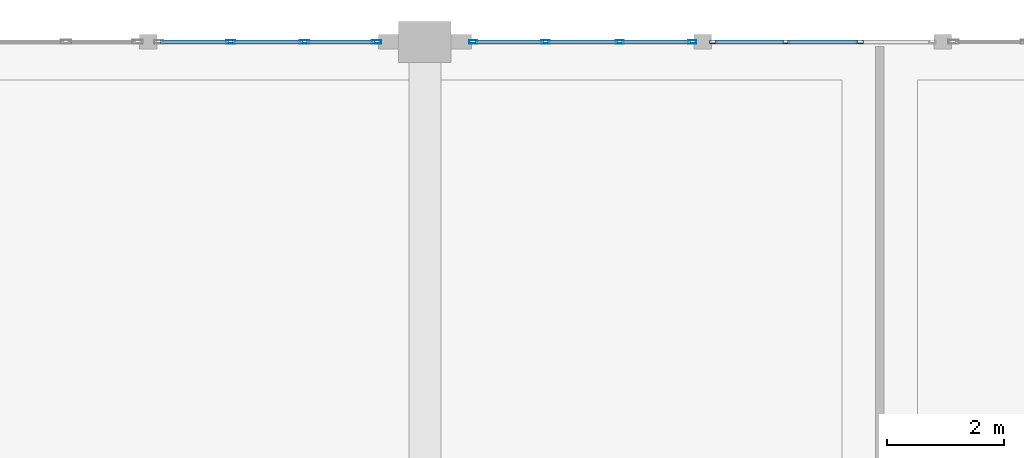
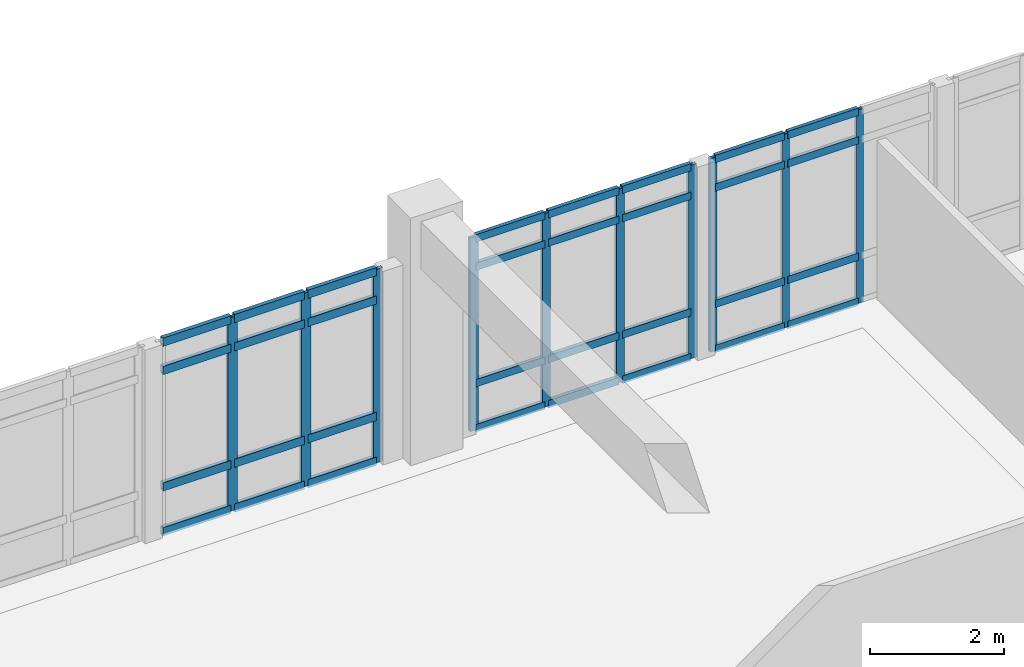
# One storey, part 54 of 109: 42 members, 3 elements without a shape of their own.
"""IFC4 building model written with IfcOpenShell, lengths in metres."""

from ifc_helpers import new_model, si_unit, direction, frame, origin, origin_2d, place, context, subcontext, project, spatial, hollow_rectangle, extrude, material, layer, layer_set, material_profile, profile_set, type_object, element, aggregate, save


model = new_model("IFC4")

# Units and contexts
model_context = context("Model", 3, precision=1e-05, world=origin(), true_north=direction((0.0, 1.0)))
body_context = subcontext(model_context, "Body", "Model", "MODEL_VIEW")
ifc_project = project(units=[si_unit("LENGTHUNIT", "METRE"), si_unit("AREAUNIT", "SQUARE_METRE"), si_unit("VOLUMEUNIT", "CUBIC_METRE"), si_unit("PLANEANGLEUNIT", "RADIAN"), si_unit("MASSUNIT", "GRAM", prefix="KILO")], contexts=[model_context])

# Site, building, storey
site_placement = place(None, origin())
site = spatial("IfcSite", under=ifc_project, at=site_placement, CompositionType="ELEMENT")
building_placement = place(site_placement, origin())
building = spatial("IfcBuilding", under=site, at=building_placement, Name="Fikremerkos Civic Library", CompositionType="ELEMENT")
storey_placement = place(building_placement, frame((0.0, 0.0, 5.39990234375)))
storey = spatial("IfcBuildingStorey", under=building, at=storey_placement, Name="L01", CompositionType="ELEMENT", Elevation=5.39990234375)

# Curtain wall, members
ifc_material = material(Name="Anodized aluminium Frame", Category="aluminium")
ifc_layer_1 = layer(ifc_material, 0.159912109375, Name="Anodized aluminium Frame")
ifc_layer_set_1 = layer_set([ifc_layer_1], Name="Anodized aluminium Frame")
curtain_wall_type_1 = type_object("IfcCurtainWallType", Name="Unitised curtain wall CW-10 4000x3400", PredefinedType="USERDEFINED", material=ifc_layer_set_1)
curtain_wall_1_placement = place(storey_placement, origin())
curtain_wall_1 = element("IfcCurtainWall", 1, at=curtain_wall_1_placement, inside=storey, type_object=curtain_wall_type_1, Name="Unitised curtain wall CW-10 L01 #136", ObjectType="UNITISED CURTAIN WALL", PredefinedType="USERDEFINED")
ifc_material_profile_1 = material_profile(ifc_material, hollow_rectangle(XDim=0.06005859375, YDim=0.159912109375, WallThickness=0.00390625, at=origin_2d()), Name="ALU 160x60x4")
ifc_profile_set_1 = profile_set([ifc_material_profile_1], Name="Anodized aluminium Frame")
member_type_1 = type_object("IfcMemberType", Name="Curtain mullion CWM-02 ALU 160x60x4", PredefinedType="MULLION", material=ifc_profile_set_1)
member_1_placement = place(storey_placement, frame((96.873291015625, 117.60009765625, 0.0), z_axis=(0.0, 0.0, 1.0), x_axis=(0.0, 1.0, 0.0)))
member_1 = element("IfcMember", 2, at=member_1_placement, type_object=member_type_1, Name="CW-10 mullion 2", PredefinedType="MULLION", context=body_context, shape_type="SweptSolid", body=[
    extrude(hollow_rectangle(XDim=0.06005859375, YDim=0.159912109375, WallThickness=0.00390625, at=origin_2d()), origin(), (0.0, 0.0, 1.0), 3.517333984375),
])
member_2_placement = place(storey_placement, frame((98.1376953125, 117.60009765625, 0.0), z_axis=(0.0, 0.0, 1.0), x_axis=(0.0, 1.0, 0.0)))
member_2 = element("IfcMember", 3, at=member_2_placement, type_object=member_type_1, Name="CW-10 mullion 3", PredefinedType="MULLION", context=body_context, shape_type="SweptSolid", body=[
    extrude(hollow_rectangle(XDim=0.06005859375, YDim=0.159912109375, WallThickness=0.00390625, at=origin_2d()), origin(), (0.0, 0.0, 1.0), 3.517333984375),
])
member_3_placement = place(storey_placement, frame((99.3720703125, 117.60009765625, 0.0), z_axis=(0.0, 0.0, 1.0), x_axis=(0.0, 1.0, 0.0)))
member_3 = element("IfcMember", 4, at=member_3_placement, type_object=member_type_1, Name="CW-10 mullion 4", PredefinedType="MULLION", context=body_context, shape_type="SweptSolid", body=[
    extrude(hollow_rectangle(XDim=0.06005859375, YDim=0.159912109375, WallThickness=0.00390625, at=origin_2d()), origin(), (0.0, 0.0, 1.0), 3.517333984375),
])

ifc_layer_2 = layer(ifc_material, 0.159912109375, Name="Anodized aluminium Frame")
ifc_layer_set_2 = layer_set([ifc_layer_2], Name="Anodized aluminium Frame")
curtain_wall_type_2 = type_object("IfcCurtainWallType", Name="Unitised curtain wall CW-11 3200x3400", PredefinedType="USERDEFINED", material=ifc_layer_set_2)
curtain_wall_2_placement = place(storey_placement, origin())
curtain_wall_2 = element("IfcCurtainWall", 5, at=curtain_wall_2_placement, inside=storey, type_object=curtain_wall_type_2, Name="Unitised curtain wall CW-11 L01 #137", ObjectType="UNITISED CURTAIN WALL", PredefinedType="USERDEFINED")
ifc_material_profile_2 = material_profile(ifc_material, hollow_rectangle(XDim=0.06005859375, YDim=0.139892578125, WallThickness=0.00390625, at=origin_2d()), Name="ALU 140x60x4")
ifc_profile_set_2 = profile_set([ifc_material_profile_2], Name="Anodized aluminium Frame")
member_type_2 = type_object("IfcMemberType", Name="Curtain mullion CWM-03 ALU 140x60x4", PredefinedType="MULLION", material=ifc_profile_set_2)
member_4_placement = place(storey_placement, frame((101.028076171875, 117.60009765625, 0.0), z_axis=(0.0, 0.0, 1.0), x_axis=(0.0, 1.0, 0.0)))
member_4 = element("IfcMember", 6, at=member_4_placement, type_object=member_type_2, Name="CW-11 mullion 1", PredefinedType="MULLION", context=body_context, shape_type="SweptSolid", body=[
    extrude(hollow_rectangle(XDim=0.06005859375, YDim=0.139892578125, WallThickness=0.00390625, at=origin_2d()), origin(), (0.0, 0.0, 1.0), 3.517333984375),
])
member_5_placement = place(storey_placement, frame((102.270751953125, 117.60009765625, 0.0), z_axis=(0.0, 0.0, 1.0), x_axis=(0.0, 1.0, 0.0)))
member_5 = element("IfcMember", 7, at=member_5_placement, type_object=member_type_2, Name="CW-11 mullion 2", PredefinedType="MULLION", context=body_context, shape_type="SweptSolid", body=[
    extrude(hollow_rectangle(XDim=0.06005859375, YDim=0.139892578125, WallThickness=0.00390625, at=origin_2d()), origin(), (0.0, 0.0, 1.0), 3.517333984375),
])
member_6_placement = place(storey_placement, frame((103.543212890625, 117.60009765625, 0.0), z_axis=(0.0, 0.0, 1.0), x_axis=(0.0, 1.0, 0.0)))
member_6 = element("IfcMember", 8, at=member_6_placement, type_object=member_type_2, Name="CW-11 mullion 3", PredefinedType="MULLION", context=body_context, shape_type="SweptSolid", body=[
    extrude(hollow_rectangle(XDim=0.06005859375, YDim=0.139892578125, WallThickness=0.00390625, at=origin_2d()), origin(), (0.0, 0.0, 1.0), 3.517333984375),
])
member_7_placement = place(storey_placement, frame((104.785888671875, 117.60009765625, 0.0), z_axis=(0.0, 0.0, 1.0), x_axis=(0.0, 1.0, 0.0)))
member_7 = element("IfcMember", 9, at=member_7_placement, type_object=member_type_2, Name="CW-11 mullion 4", PredefinedType="MULLION", context=body_context, shape_type="SweptSolid", body=[
    extrude(hollow_rectangle(XDim=0.06005859375, YDim=0.139892578125, WallThickness=0.00390625, at=origin_2d()), origin(), (0.0, 0.0, 1.0), 3.517333984375),
])

ifc_layer_3 = layer(ifc_material, 0.159912109375, Name="Anodized aluminium Frame")
ifc_layer_set_3 = layer_set([ifc_layer_3], Name="Anodized aluminium Frame")
curtain_wall_type_3 = type_object("IfcCurtainWallType", Name="Unitised curtain wall CW-12 4300x3400", PredefinedType="USERDEFINED", material=ifc_layer_set_3)
curtain_wall_3_placement = place(storey_placement, origin())
curtain_wall_3 = element("IfcCurtainWall", 10, at=curtain_wall_3_placement, inside=storey, type_object=curtain_wall_type_3, Name="Unitised curtain wall CW-12 L01 #138", ObjectType="UNITISED CURTAIN WALL", PredefinedType="USERDEFINED")
ifc_material_profile_3 = material_profile(ifc_material, hollow_rectangle(XDim=0.06005859375, YDim=0.1201171875, WallThickness=0.00390625, at=origin_2d()), Name="ALU 120x60x4")
ifc_profile_set_3 = profile_set([ifc_material_profile_3], Name="Anodized aluminium Frame")
member_type_3 = type_object("IfcMemberType", Name="Curtain mullion CWM-04 ALU 120x60x4", PredefinedType="MULLION", material=ifc_profile_set_3)
member_8_placement = place(storey_placement, frame((105.14599609375, 117.60009765625, 0.0), z_axis=(0.0, 0.0, 1.0), x_axis=(0.0, 1.0, 0.0)))
member_8 = element("IfcMember", 11, at=member_8_placement, type_object=member_type_3, Name="CW-12 mullion 1", PredefinedType="MULLION", context=body_context, shape_type="SweptSolid", body=[
    extrude(hollow_rectangle(XDim=0.06005859375, YDim=0.1201171875, WallThickness=0.00390625, at=origin_2d()), origin(), (0.0, 0.0, 1.0), 3.517333984375),
])
member_9_placement = place(storey_placement, frame((106.388671875, 117.60009765625, 0.0), z_axis=(0.0, 0.0, 1.0), x_axis=(0.0, 1.0, 0.0)))
member_9 = element("IfcMember", 12, at=member_9_placement, type_object=member_type_3, Name="CW-12 mullion 2", PredefinedType="MULLION", context=body_context, shape_type="SweptSolid", body=[
    extrude(hollow_rectangle(XDim=0.06005859375, YDim=0.1201171875, WallThickness=0.00390625, at=origin_2d()), origin(), (0.0, 0.0, 1.0), 3.517333984375),
])
member_10_placement = place(storey_placement, frame((107.661376953125, 117.60009765625, 0.0), z_axis=(0.0, 0.0, 1.0), x_axis=(0.0, 1.0, 0.0)))
member_10 = element("IfcMember", 13, at=member_10_placement, type_object=member_type_3, Name="CW-12 mullion 3", PredefinedType="MULLION", context=body_context, shape_type="SweptSolid", body=[
    extrude(hollow_rectangle(XDim=0.06005859375, YDim=0.1201171875, WallThickness=0.00390625, at=origin_2d()), origin(), (0.0, 0.0, 1.0), 3.517333984375),
])

# Member
ifc_material_profile_4 = material_profile(ifc_material, hollow_rectangle(XDim=0.070068359375, YDim=0.14990234375, WallThickness=0.00439453125, at=origin_2d()), Name="ALU 150x70x4.5")
ifc_profile_set_4 = profile_set([ifc_material_profile_4], Name="Anodized aluminium Frame")
member_type_4 = type_object("IfcMemberType", Name="Curtain transom CWT-01 ALU 150x70x4.5", PredefinedType="USERDEFINED", material=ifc_profile_set_4)
member_11_placement = place(storey_placement, frame((95.6689453125, 117.60009765625, 0.03515625), z_axis=(1.0, 0.0, 0.0), x_axis=(0.0, 1.0, 0.0)))
member_11 = element("IfcMember", 14, at=member_11_placement, type_object=member_type_4, Name="CW-10 transom 1.1", ObjectType="TRANSOM", PredefinedType="USERDEFINED", context=body_context, shape_type="SweptSolid", body=[
    extrude(hollow_rectangle(XDim=0.070068359375, YDim=0.14990234375, WallThickness=0.00439453125, at=origin_2d()), origin(), (0.0, 0.0, 1.0), 1.17431640625),
])

member_12_placement = place(storey_placement, frame((95.6689453125, 117.60009765625, 0.85009765625), z_axis=(1.0, 0.0, 0.0), x_axis=(0.0, 1.0, 0.0)))
member_12 = element("IfcMember", 15, at=member_12_placement, type_object=member_type_4, Name="CW-10 transom 1.2", ObjectType="TRANSOM", PredefinedType="USERDEFINED", context=body_context, shape_type="SweptSolid", body=[
    extrude(hollow_rectangle(XDim=0.070068359375, YDim=0.14990234375, WallThickness=0.00439453125, at=origin_2d()), origin(), (0.0, 0.0, 1.0), 1.17431640625),
])

member_13_placement = place(storey_placement, frame((95.6689453125, 117.60009765625, 2.96728515625), z_axis=(1.0, 0.0, 0.0), x_axis=(0.0, 1.0, 0.0)))
member_13 = element("IfcMember", 16, at=member_13_placement, type_object=member_type_4, Name="CW-10 transom 1.3", ObjectType="TRANSOM", PredefinedType="USERDEFINED", context=body_context, shape_type="SweptSolid", body=[
    extrude(hollow_rectangle(XDim=0.070068359375, YDim=0.14990234375, WallThickness=0.00439453125, at=origin_2d()), origin(), (0.0, 0.0, 1.0), 1.17431640625),
])

member_14_placement = place(storey_placement, frame((95.6689453125, 117.60009765625, 3.482177734375), z_axis=(1.0, 0.0, 0.0), x_axis=(0.0, 1.0, 0.0)))
member_14 = element("IfcMember", 17, at=member_14_placement, type_object=member_type_4, Name="CW-10 transom 1.4", ObjectType="TRANSOM", PredefinedType="USERDEFINED", context=body_context, shape_type="SweptSolid", body=[
    extrude(hollow_rectangle(XDim=0.070068359375, YDim=0.14990234375, WallThickness=0.00439453125, at=origin_2d()), origin(), (0.0, 0.0, 1.0), 1.17431640625),
])

member_15_placement = place(storey_placement, frame((96.9033203125, 117.60009765625, 0.03515625), z_axis=(1.0, 0.0, 0.0), x_axis=(0.0, 1.0, 0.0)))
member_15 = element("IfcMember", 18, at=member_15_placement, type_object=member_type_4, Name="CW-10 transom 2.1", ObjectType="TRANSOM", PredefinedType="USERDEFINED", context=body_context, shape_type="SweptSolid", body=[
    extrude(hollow_rectangle(XDim=0.070068359375, YDim=0.14990234375, WallThickness=0.00439453125, at=origin_2d()), origin(), (0.0, 0.0, 1.0), 1.204345703125),
])

member_16_placement = place(storey_placement, frame((96.9033203125, 117.60009765625, 0.85009765625), z_axis=(1.0, 0.0, 0.0), x_axis=(0.0, 1.0, 0.0)))
member_16 = element("IfcMember", 19, at=member_16_placement, type_object=member_type_4, Name="CW-10 transom 2.2", ObjectType="TRANSOM", PredefinedType="USERDEFINED", context=body_context, shape_type="SweptSolid", body=[
    extrude(hollow_rectangle(XDim=0.070068359375, YDim=0.14990234375, WallThickness=0.00439453125, at=origin_2d()), origin(), (0.0, 0.0, 1.0), 1.204345703125),
])

member_17_placement = place(storey_placement, frame((96.9033203125, 117.60009765625, 2.96728515625), z_axis=(1.0, 0.0, 0.0), x_axis=(0.0, 1.0, 0.0)))
member_17 = element("IfcMember", 20, at=member_17_placement, type_object=member_type_4, Name="CW-10 transom 2.3", ObjectType="TRANSOM", PredefinedType="USERDEFINED", context=body_context, shape_type="SweptSolid", body=[
    extrude(hollow_rectangle(XDim=0.070068359375, YDim=0.14990234375, WallThickness=0.00439453125, at=origin_2d()), origin(), (0.0, 0.0, 1.0), 1.204345703125),
])

member_18_placement = place(storey_placement, frame((96.9033203125, 117.60009765625, 3.482177734375), z_axis=(1.0, 0.0, 0.0), x_axis=(0.0, 1.0, 0.0)))
member_18 = element("IfcMember", 21, at=member_18_placement, type_object=member_type_4, Name="CW-10 transom 2.4", ObjectType="TRANSOM", PredefinedType="USERDEFINED", context=body_context, shape_type="SweptSolid", body=[
    extrude(hollow_rectangle(XDim=0.070068359375, YDim=0.14990234375, WallThickness=0.00439453125, at=origin_2d()), origin(), (0.0, 0.0, 1.0), 1.204345703125),
])

member_19_placement = place(storey_placement, frame((98.167724609375, 117.60009765625, 0.03515625), z_axis=(1.0, 0.0, 0.0), x_axis=(0.0, 1.0, 0.0)))
member_19 = element("IfcMember", 22, at=member_19_placement, type_object=member_type_4, Name="CW-10 transom 3.1", ObjectType="TRANSOM", PredefinedType="USERDEFINED", context=body_context, shape_type="SweptSolid", body=[
    extrude(hollow_rectangle(XDim=0.070068359375, YDim=0.14990234375, WallThickness=0.00439453125, at=origin_2d()), origin(), (0.0, 0.0, 1.0), 1.17431640625),
])

member_20_placement = place(storey_placement, frame((98.167724609375, 117.60009765625, 0.85009765625), z_axis=(1.0, 0.0, 0.0), x_axis=(0.0, 1.0, 0.0)))
member_20 = element("IfcMember", 23, at=member_20_placement, type_object=member_type_4, Name="CW-10 transom 3.2", ObjectType="TRANSOM", PredefinedType="USERDEFINED", context=body_context, shape_type="SweptSolid", body=[
    extrude(hollow_rectangle(XDim=0.070068359375, YDim=0.14990234375, WallThickness=0.00439453125, at=origin_2d()), origin(), (0.0, 0.0, 1.0), 1.17431640625),
])

member_21_placement = place(storey_placement, frame((98.167724609375, 117.60009765625, 2.96728515625), z_axis=(1.0, 0.0, 0.0), x_axis=(0.0, 1.0, 0.0)))
member_21 = element("IfcMember", 24, at=member_21_placement, type_object=member_type_4, Name="CW-10 transom 3.3", ObjectType="TRANSOM", PredefinedType="USERDEFINED", context=body_context, shape_type="SweptSolid", body=[
    extrude(hollow_rectangle(XDim=0.070068359375, YDim=0.14990234375, WallThickness=0.00439453125, at=origin_2d()), origin(), (0.0, 0.0, 1.0), 1.17431640625),
])

member_22_placement = place(storey_placement, frame((98.167724609375, 117.60009765625, 3.482177734375), z_axis=(1.0, 0.0, 0.0), x_axis=(0.0, 1.0, 0.0)))
member_22 = element("IfcMember", 25, at=member_22_placement, type_object=member_type_4, Name="CW-10 transom 3.4", ObjectType="TRANSOM", PredefinedType="USERDEFINED", context=body_context, shape_type="SweptSolid", body=[
    extrude(hollow_rectangle(XDim=0.070068359375, YDim=0.14990234375, WallThickness=0.00439453125, at=origin_2d()), origin(), (0.0, 0.0, 1.0), 1.17431640625),
])

aggregate(curtain_wall_1, [member_1, member_2, member_3, member_11, member_12, member_13, member_14, member_15, member_16, member_17, member_18, member_19, member_20, member_21, member_22])

ifc_material_profile_5 = material_profile(ifc_material, hollow_rectangle(XDim=0.06494140625, YDim=0.135009765625, WallThickness=0.00439453125, at=origin_2d()), Name="ALU 135x65x4.5")
ifc_profile_set_5 = profile_set([ifc_material_profile_5], Name="Anodized aluminium Frame")
member_type_5 = type_object("IfcMemberType", Name="Curtain transom CWT-02 ALU 135x65x4.5", PredefinedType="USERDEFINED", material=ifc_profile_set_5)
member_23_placement = place(storey_placement, frame((101.05810546875, 117.60009765625, 0.03271484375), z_axis=(1.0, 0.0, 0.0), x_axis=(0.0, 1.0, 0.0)))
member_23 = element("IfcMember", 26, at=member_23_placement, type_object=member_type_5, Name="CW-11 transom 1.1", ObjectType="TRANSOM", PredefinedType="USERDEFINED", context=body_context, shape_type="SweptSolid", body=[
    extrude(hollow_rectangle(XDim=0.06494140625, YDim=0.135009765625, WallThickness=0.00439453125, at=origin_2d()), origin(), (0.0, 0.0, 1.0), 1.1826171875),
])

member_24_placement = place(storey_placement, frame((101.05810546875, 117.60009765625, 0.85009765625), z_axis=(1.0, 0.0, 0.0), x_axis=(0.0, 1.0, 0.0)))
member_24 = element("IfcMember", 27, at=member_24_placement, type_object=member_type_5, Name="CW-11 transom 1.2", ObjectType="TRANSOM", PredefinedType="USERDEFINED", context=body_context, shape_type="SweptSolid", body=[
    extrude(hollow_rectangle(XDim=0.06494140625, YDim=0.135009765625, WallThickness=0.00439453125, at=origin_2d()), origin(), (0.0, 0.0, 1.0), 1.1826171875),
])

member_25_placement = place(storey_placement, frame((101.05810546875, 117.60009765625, 2.96728515625), z_axis=(1.0, 0.0, 0.0), x_axis=(0.0, 1.0, 0.0)))
member_25 = element("IfcMember", 28, at=member_25_placement, type_object=member_type_5, Name="CW-11 transom 1.3", ObjectType="TRANSOM", PredefinedType="USERDEFINED", context=body_context, shape_type="SweptSolid", body=[
    extrude(hollow_rectangle(XDim=0.06494140625, YDim=0.135009765625, WallThickness=0.00439453125, at=origin_2d()), origin(), (0.0, 0.0, 1.0), 1.1826171875),
])

member_26_placement = place(storey_placement, frame((101.05810546875, 117.60009765625, 3.48486328125), z_axis=(1.0, 0.0, 0.0), x_axis=(0.0, 1.0, 0.0)))
member_26 = element("IfcMember", 29, at=member_26_placement, type_object=member_type_5, Name="CW-11 transom 1.4", ObjectType="TRANSOM", PredefinedType="USERDEFINED", context=body_context, shape_type="SweptSolid", body=[
    extrude(hollow_rectangle(XDim=0.06494140625, YDim=0.135009765625, WallThickness=0.00439453125, at=origin_2d()), origin(), (0.0, 0.0, 1.0), 1.1826171875),
])

member_27_placement = place(storey_placement, frame((102.30078125, 117.60009765625, 0.03271484375), z_axis=(1.0, 0.0, 0.0), x_axis=(0.0, 1.0, 0.0)))
member_27 = element("IfcMember", 30, at=member_27_placement, type_object=member_type_5, Name="CW-11 transom 2.1", ObjectType="TRANSOM", PredefinedType="USERDEFINED", context=body_context, shape_type="SweptSolid", body=[
    extrude(hollow_rectangle(XDim=0.06494140625, YDim=0.135009765625, WallThickness=0.00439453125, at=origin_2d()), origin(), (0.0, 0.0, 1.0), 1.212646484375),
])

member_28_placement = place(storey_placement, frame((102.30078125, 117.60009765625, 0.85009765625), z_axis=(1.0, 0.0, 0.0), x_axis=(0.0, 1.0, 0.0)))
member_28 = element("IfcMember", 31, at=member_28_placement, type_object=member_type_5, Name="CW-11 transom 2.2", ObjectType="TRANSOM", PredefinedType="USERDEFINED", context=body_context, shape_type="SweptSolid", body=[
    extrude(hollow_rectangle(XDim=0.06494140625, YDim=0.135009765625, WallThickness=0.00439453125, at=origin_2d()), origin(), (0.0, 0.0, 1.0), 1.212646484375),
])

member_29_placement = place(storey_placement, frame((102.30078125, 117.60009765625, 2.96728515625), z_axis=(1.0, 0.0, 0.0), x_axis=(0.0, 1.0, 0.0)))
member_29 = element("IfcMember", 32, at=member_29_placement, type_object=member_type_5, Name="CW-11 transom 2.3", ObjectType="TRANSOM", PredefinedType="USERDEFINED", context=body_context, shape_type="SweptSolid", body=[
    extrude(hollow_rectangle(XDim=0.06494140625, YDim=0.135009765625, WallThickness=0.00439453125, at=origin_2d()), origin(), (0.0, 0.0, 1.0), 1.212646484375),
])

member_30_placement = place(storey_placement, frame((102.30078125, 117.60009765625, 3.48486328125), z_axis=(1.0, 0.0, 0.0), x_axis=(0.0, 1.0, 0.0)))
member_30 = element("IfcMember", 33, at=member_30_placement, type_object=member_type_5, Name="CW-11 transom 2.4", ObjectType="TRANSOM", PredefinedType="USERDEFINED", context=body_context, shape_type="SweptSolid", body=[
    extrude(hollow_rectangle(XDim=0.06494140625, YDim=0.135009765625, WallThickness=0.00439453125, at=origin_2d()), origin(), (0.0, 0.0, 1.0), 1.212646484375),
])

member_31_placement = place(storey_placement, frame((103.5732421875, 117.60009765625, 0.03271484375), z_axis=(1.0, 0.0, 0.0), x_axis=(0.0, 1.0, 0.0)))
member_31 = element("IfcMember", 34, at=member_31_placement, type_object=member_type_5, Name="CW-11 transom 3.1", ObjectType="TRANSOM", PredefinedType="USERDEFINED", context=body_context, shape_type="SweptSolid", body=[
    extrude(hollow_rectangle(XDim=0.06494140625, YDim=0.135009765625, WallThickness=0.00439453125, at=origin_2d()), origin(), (0.0, 0.0, 1.0), 1.182861328125),
])

member_32_placement = place(storey_placement, frame((103.5732421875, 117.60009765625, 0.85009765625), z_axis=(1.0, 0.0, 0.0), x_axis=(0.0, 1.0, 0.0)))
member_32 = element("IfcMember", 35, at=member_32_placement, type_object=member_type_5, Name="CW-11 transom 3.2", ObjectType="TRANSOM", PredefinedType="USERDEFINED", context=body_context, shape_type="SweptSolid", body=[
    extrude(hollow_rectangle(XDim=0.06494140625, YDim=0.135009765625, WallThickness=0.00439453125, at=origin_2d()), origin(), (0.0, 0.0, 1.0), 1.182861328125),
])

member_33_placement = place(storey_placement, frame((103.5732421875, 117.60009765625, 2.96728515625), z_axis=(1.0, 0.0, 0.0), x_axis=(0.0, 1.0, 0.0)))
member_33 = element("IfcMember", 36, at=member_33_placement, type_object=member_type_5, Name="CW-11 transom 3.3", ObjectType="TRANSOM", PredefinedType="USERDEFINED", context=body_context, shape_type="SweptSolid", body=[
    extrude(hollow_rectangle(XDim=0.06494140625, YDim=0.135009765625, WallThickness=0.00439453125, at=origin_2d()), origin(), (0.0, 0.0, 1.0), 1.182861328125),
])

member_34_placement = place(storey_placement, frame((103.5732421875, 117.60009765625, 3.48486328125), z_axis=(1.0, 0.0, 0.0), x_axis=(0.0, 1.0, 0.0)))
member_34 = element("IfcMember", 37, at=member_34_placement, type_object=member_type_5, Name="CW-11 transom 3.4", ObjectType="TRANSOM", PredefinedType="USERDEFINED", context=body_context, shape_type="SweptSolid", body=[
    extrude(hollow_rectangle(XDim=0.06494140625, YDim=0.135009765625, WallThickness=0.00439453125, at=origin_2d()), origin(), (0.0, 0.0, 1.0), 1.182861328125),
])

aggregate(curtain_wall_2, [member_4, member_5, member_6, member_7, member_23, member_24, member_25, member_26, member_27, member_28, member_29, member_30, member_31, member_32, member_33, member_34])

member_35_placement = place(storey_placement, frame((105.176025390625, 117.60009765625, 0.03271484375), z_axis=(1.0, 0.0, 0.0), x_axis=(0.0, 1.0, 0.0)))
member_35 = element("IfcMember", 38, at=member_35_placement, type_object=member_type_5, Name="CW-12 transom 1.1", ObjectType="TRANSOM", PredefinedType="USERDEFINED", context=body_context, shape_type="SweptSolid", body=[
    extrude(hollow_rectangle(XDim=0.06494140625, YDim=0.135009765625, WallThickness=0.00439453125, at=origin_2d()), origin(), (0.0, 0.0, 1.0), 1.1826171875),
])

member_36_placement = place(storey_placement, frame((105.176025390625, 117.60009765625, 0.85009765625), z_axis=(1.0, 0.0, 0.0), x_axis=(0.0, 1.0, 0.0)))
member_36 = element("IfcMember", 39, at=member_36_placement, type_object=member_type_5, Name="CW-12 transom 1.2", ObjectType="TRANSOM", PredefinedType="USERDEFINED", context=body_context, shape_type="SweptSolid", body=[
    extrude(hollow_rectangle(XDim=0.06494140625, YDim=0.135009765625, WallThickness=0.00439453125, at=origin_2d()), origin(), (0.0, 0.0, 1.0), 1.1826171875),
])

member_37_placement = place(storey_placement, frame((105.176025390625, 117.60009765625, 2.96728515625), z_axis=(1.0, 0.0, 0.0), x_axis=(0.0, 1.0, 0.0)))
member_37 = element("IfcMember", 40, at=member_37_placement, type_object=member_type_5, Name="CW-12 transom 1.3", ObjectType="TRANSOM", PredefinedType="USERDEFINED", context=body_context, shape_type="SweptSolid", body=[
    extrude(hollow_rectangle(XDim=0.06494140625, YDim=0.135009765625, WallThickness=0.00439453125, at=origin_2d()), origin(), (0.0, 0.0, 1.0), 1.1826171875),
])

member_38_placement = place(storey_placement, frame((105.176025390625, 117.60009765625, 3.48486328125), z_axis=(1.0, 0.0, 0.0), x_axis=(0.0, 1.0, 0.0)))
member_38 = element("IfcMember", 41, at=member_38_placement, type_object=member_type_5, Name="CW-12 transom 1.4", ObjectType="TRANSOM", PredefinedType="USERDEFINED", context=body_context, shape_type="SweptSolid", body=[
    extrude(hollow_rectangle(XDim=0.06494140625, YDim=0.135009765625, WallThickness=0.00439453125, at=origin_2d()), origin(), (0.0, 0.0, 1.0), 1.1826171875),
])

member_39_placement = place(storey_placement, frame((106.418701171875, 117.60009765625, 0.03271484375), z_axis=(1.0, 0.0, 0.0), x_axis=(0.0, 1.0, 0.0)))
member_39 = element("IfcMember", 42, at=member_39_placement, type_object=member_type_5, Name="CW-12 transom 2.1", ObjectType="TRANSOM", PredefinedType="USERDEFINED", context=body_context, shape_type="SweptSolid", body=[
    extrude(hollow_rectangle(XDim=0.06494140625, YDim=0.135009765625, WallThickness=0.00439453125, at=origin_2d()), origin(), (0.0, 0.0, 1.0), 1.212646484375),
])

member_40_placement = place(storey_placement, frame((106.418701171875, 117.60009765625, 0.85009765625), z_axis=(1.0, 0.0, 0.0), x_axis=(0.0, 1.0, 0.0)))
member_40 = element("IfcMember", 43, at=member_40_placement, type_object=member_type_5, Name="CW-12 transom 2.2", ObjectType="TRANSOM", PredefinedType="USERDEFINED", context=body_context, shape_type="SweptSolid", body=[
    extrude(hollow_rectangle(XDim=0.06494140625, YDim=0.135009765625, WallThickness=0.00439453125, at=origin_2d()), origin(), (0.0, 0.0, 1.0), 1.212646484375),
])

member_41_placement = place(storey_placement, frame((106.418701171875, 117.60009765625, 2.96728515625), z_axis=(1.0, 0.0, 0.0), x_axis=(0.0, 1.0, 0.0)))
member_41 = element("IfcMember", 44, at=member_41_placement, type_object=member_type_5, Name="CW-12 transom 2.3", ObjectType="TRANSOM", PredefinedType="USERDEFINED", context=body_context, shape_type="SweptSolid", body=[
    extrude(hollow_rectangle(XDim=0.06494140625, YDim=0.135009765625, WallThickness=0.00439453125, at=origin_2d()), origin(), (0.0, 0.0, 1.0), 1.212646484375),
])

member_42_placement = place(storey_placement, frame((106.418701171875, 117.60009765625, 3.48486328125), z_axis=(1.0, 0.0, 0.0), x_axis=(0.0, 1.0, 0.0)))
member_42 = element("IfcMember", 45, at=member_42_placement, type_object=member_type_5, Name="CW-12 transom 2.4", ObjectType="TRANSOM", PredefinedType="USERDEFINED", context=body_context, shape_type="SweptSolid", body=[
    extrude(hollow_rectangle(XDim=0.06494140625, YDim=0.135009765625, WallThickness=0.00439453125, at=origin_2d()), origin(), (0.0, 0.0, 1.0), 1.212646484375),
])

aggregate(curtain_wall_3, [member_8, member_9, member_10, member_35, member_36, member_37, member_38, member_39, member_40, member_41, member_42])

save(model, "model.ifc")
